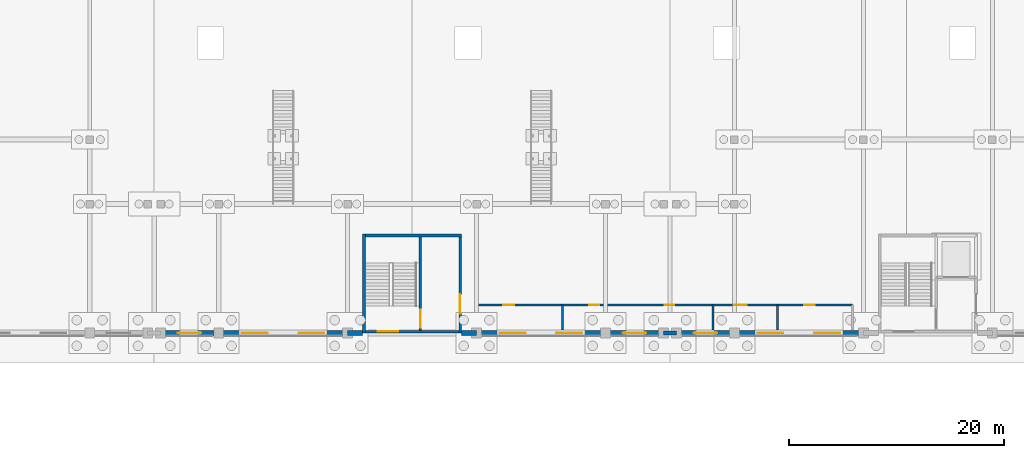
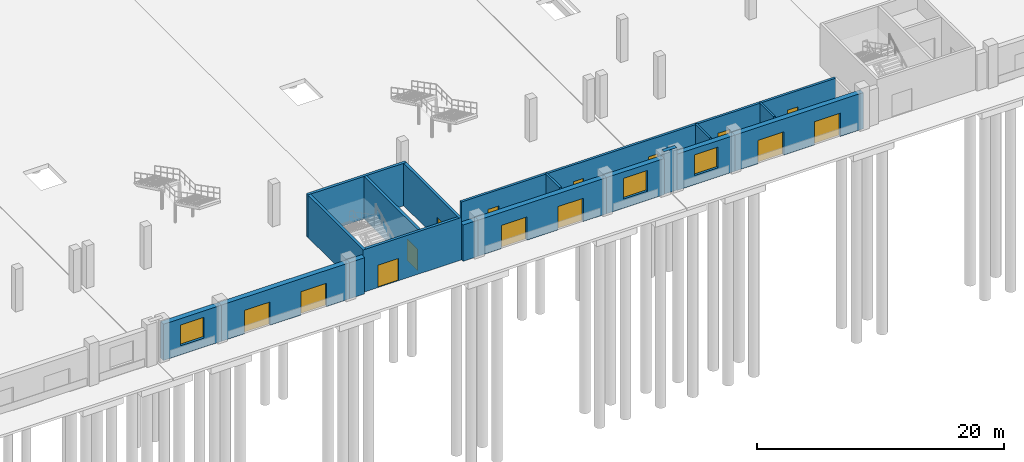
# One storey, part 59 of 77: 18 walls, 14 doors, 3 windows, 17 openings.
"""IFC4 building model written with IfcOpenShell, lengths in metres."""

from ifc_helpers import new_model, si_unit, direction, frame, frame_2d, origin, place, context, subcontext, project, spatial, rectangle, extrude, material, layer, layer_set, type_object, element, fill, save


model = new_model("IFC4")

# Units and contexts
model_context = context("Model", 3, precision=1e-05, world=origin(), true_north=direction((0.0, 1.0)))
body_context = subcontext(model_context, "Body", "Model", "MODEL_VIEW")
ifc_project = project(units=[si_unit("LENGTHUNIT", "METRE"), si_unit("AREAUNIT", "SQUARE_METRE"), si_unit("VOLUMEUNIT", "CUBIC_METRE"), si_unit("PLANEANGLEUNIT", "RADIAN"), si_unit("MASSUNIT", "GRAM", prefix="KILO")], contexts=[model_context])

# Site, building, storey
site_placement = place(None, origin())
site = spatial("IfcSite", under=ifc_project, at=site_placement, CompositionType="ELEMENT")
building_placement = place(site_placement, origin())
building = spatial("IfcBuilding", under=site, at=building_placement, Name="Zilviju Railside Exhibition Hall", CompositionType="ELEMENT")
storey_placement = place(building_placement, origin())
storey = spatial("IfcBuildingStorey", under=building, at=storey_placement, Name="L01", CompositionType="ELEMENT", Elevation=0.0)

# Walls
ifc_material_1 = material(Name="Concrete C35/45", Category="concrete")
ifc_layer_1 = layer(ifc_material_1, 0.25)
ifc_layer_set_1 = layer_set([ifc_layer_1], Name="Concrete C35/45")
wall_type_1 = type_object("IfcWallType", Name="WL-CORE-250", PredefinedType="SHEAR", material=ifc_layer_set_1)
wall_1_placement = place(storey_placement, frame((145.52490234375, 0.0, 0.0), z_axis=(0.0, 0.0, 1.0), x_axis=(0.0, 1.0, 0.0)))
element("IfcWall", 1, at=wall_1_placement, inside=storey, type_object=wall_type_1, Name="Core C02 South Hall Mid Stairwell Outer Wall L01", PredefinedType="SHEAR", context=body_context, shape_type="SweptSolid", body=[
    extrude(rectangle(XDim=9.199951171875, YDim=0.25, at=frame_2d((4.60009765625, 0.0))), origin(), (0.0, 0.0, 1.0), 4.199951171875),
])
wall_2_placement = place(storey_placement, frame((145.39990234375, 9.074951171875, 0.0), z_axis=(0.0, 0.0, 1.0), x_axis=(1.0, 0.0, 0.0)))
element("IfcWall", 2, at=wall_2_placement, inside=storey, type_object=wall_type_1, Name="Core C02 South Hall Mid Core Rear Wall L01", PredefinedType="SHEAR", context=body_context, shape_type="SweptSolid", body=[
    extrude(rectangle(XDim=9.2001953125, YDim=0.25, at=frame_2d((4.60009765625, 0.0))), origin(), (0.0, 0.0, 1.0), 4.199951171875),
])

# Wall, opening, door
wall_3_placement = place(storey_placement, frame((154.47509765625, 0.0, 0.0), z_axis=(0.0, 0.0, 1.0), x_axis=(0.0, 1.0, 0.0)))
wall_3 = element("IfcWall", 3, at=wall_3_placement, inside=storey, type_object=wall_type_1, Name="Core C02 South Hall Mid Lobby Side Wall L01", PredefinedType="SHEAR", context=body_context, shape_type="SweptSolid", body=[
    extrude(rectangle(XDim=9.199951171875, YDim=0.25, at=frame_2d((4.60009765625, 0.0))), origin(), (0.0, 0.0, 1.0), 4.199951171875),
])
opening_1_placement = place(wall_3_placement, frame((1.800048828125, 0.0, 0.0)))
opening_1 = element("IfcOpeningElement", 4, at=opening_1_placement, cuts=wall_3, Name="Opening FD-02", PredefinedType="OPENING", context=body_context, shape_type="SweptSolid", body=[
    extrude(rectangle(XDim=1.800048828125, YDim=2.14990234375, at=frame_2d((0.89990234375, 1.074951171875))), frame((0.0, 0.135009765625, 0.0), z_axis=(0.0, -1.0, 0.0), x_axis=(1.0, 0.0, 0.0)), (0.0, 0.0, 1.0), 0.27001953125),
])
ifc_material_2 = material(Name="Self-closing glazed steel core lobby fire door EI 60", Category="steel")
door_type_1 = type_object("IfcDoorType", Name="DR-LOBBY-180x215", OperationType="NOTDEFINED", PredefinedType="DOOR", material=ifc_material_2)
door_1_placement = place(opening_1_placement, origin())
door_1 = element("IfcDoor", 5, at=door_1_placement, inside=storey, type_object=door_type_1, Name="Core C02 South Hall Mid Lobby Fire Door L01", OperationType="DOUBLE_DOOR_SINGLE_SWING", OverallHeight=2.14990234375, OverallWidth=1.800048828125, PredefinedType="DOOR", context=body_context, shape_type="SweptSolid", body=[
    extrude(rectangle(XDim=1.800048828125, YDim=2.14990234375, at=frame_2d((0.89990234375, 1.074951171875))), frame((0.0, 0.02490234375, 0.0), z_axis=(0.0, -1.0, 0.0), x_axis=(1.0, 0.0, 0.0)), (0.0, 0.0, 1.0), 0.050048828125),
])
fill(opening_1, door_1)

wall_4_placement = place(storey_placement, frame((150.77490234375, 0.25, 0.0), z_axis=(0.0, 0.0, 1.0), x_axis=(0.0, 1.0, 0.0)))
wall_4 = element("IfcWall", 6, at=wall_4_placement, inside=storey, type_object=wall_type_1, Name="Core C02 South Hall Mid Stairwell Partition Wall L01", PredefinedType="SHEAR", context=body_context, shape_type="SweptSolid", body=[
    extrude(rectangle(XDim=8.699951171875, YDim=0.25, at=frame_2d((4.35009765625, 0.0))), origin(), (0.0, 0.0, 1.0), 4.199951171875),
])
opening_2_placement = place(wall_4_placement, frame((0.25, 0.0, 0.0)))
opening_2 = element("IfcOpeningElement", 7, at=opening_2_placement, cuts=wall_4, Name="Opening FD-01", PredefinedType="OPENING", context=body_context, shape_type="SweptSolid", body=[
    extrude(rectangle(XDim=1.64990234375, YDim=2.10009765625, at=frame_2d((0.824951171875, 1.050048828125))), frame((0.0, 0.135009765625, 0.0), z_axis=(0.0, -1.0, 0.0), x_axis=(1.0, 0.0, 0.0)), (0.0, 0.0, 1.0), 0.27001953125),
])
ifc_material_3 = material(Name="Self-closing steel stair enclosure fire door EI 60", Category="steel")
door_type_2 = type_object("IfcDoorType", Name="DR-STAIR-165x210", OperationType="NOTDEFINED", PredefinedType="DOOR", material=ifc_material_3)
door_2_placement = place(opening_2_placement, origin())
door_2 = element("IfcDoor", 8, at=door_2_placement, inside=storey, type_object=door_type_2, Name="Core C02 South Hall Mid Protected Stair Door L01", OperationType="SINGLE_SWING_RIGHT", OverallHeight=2.10009765625, OverallWidth=1.64990234375, PredefinedType="DOOR", context=body_context, shape_type="SweptSolid", body=[
    extrude(rectangle(XDim=1.64990234375, YDim=2.10009765625, at=frame_2d((0.824951171875, 1.050048828125))), frame((0.0, 0.02490234375, 0.0), z_axis=(0.0, -1.0, 0.0), x_axis=(1.0, 0.0, 0.0)), (0.0, 0.0, 1.0), 0.050048828125),
])
fill(opening_2, door_2)

ifc_material_4 = material(Name="Concrete C40/50", Category="concrete")
ifc_layer_2 = layer(ifc_material_4, 0.25)
ifc_layer_set_2 = layer_set([ifc_layer_2], Name="Concrete C40/50")
wall_type_2 = type_object("IfcWallType", Name="WL-CORE-300", PredefinedType="SHEAR", material=ifc_layer_set_2)
wall_5_placement = place(storey_placement, frame((154.60009765625, 0.125, 0.0), z_axis=(0.0, 0.0, 1.0), x_axis=(-1.0, 0.0, 0.0)))
wall_5 = element("IfcWall", 9, at=wall_5_placement, inside=storey, type_object=wall_type_2, Name="Core C02 South Hall Mid Exterior Core Wall L01", PredefinedType="SHEAR", context=body_context, shape_type="SweptSolid", body=[
    extrude(rectangle(XDim=9.2001953125, YDim=0.25, at=frame_2d((4.60009765625, 0.0))), origin(), (0.0, 0.0, 1.0), 4.199951171875),
])
opening_3_placement = place(wall_5_placement, frame((5.89990234375, 0.0, 0.0)))
opening_3 = element("IfcOpeningElement", 10, at=opening_3_placement, cuts=wall_5, Name="Opening ED-02", PredefinedType="OPENING", context=body_context, shape_type="SweptSolid", body=[
    extrude(rectangle(XDim=1.89990234375, YDim=2.199951171875, at=frame_2d((0.949951171875, 1.10009765625))), frame((0.0, 0.135009765625, 0.0), z_axis=(0.0, -1.0, 0.0), x_axis=(1.0, 0.0, 0.0)), (0.0, 0.0, 1.0), 0.27001953125),
])
ifc_material_5 = material(Name="Insulated aluminium stair discharge door", Category="aluminium")
door_type_3 = type_object("IfcDoorType", Name="DR-EXT-EXIT-190x220", OperationType="NOTDEFINED", PredefinedType="DOOR", material=ifc_material_5)
door_3_placement = place(opening_3_placement, origin())
door_3 = element("IfcDoor", 11, at=door_3_placement, inside=storey, type_object=door_type_3, Name="Core C02 South Hall Mid Exit Stair Discharge Door ED-C02", OperationType="DOUBLE_DOOR_SINGLE_SWING", OverallHeight=2.199951171875, OverallWidth=1.89990234375, PredefinedType="DOOR", context=body_context, shape_type="SweptSolid", body=[
    extrude(rectangle(XDim=1.89990234375, YDim=2.199951171875, at=frame_2d((0.949951171875, 1.10009765625))), frame((0.0, 0.02490234375, 0.0), z_axis=(0.0, -1.0, 0.0), x_axis=(1.0, 0.0, 0.0)), (0.0, 0.0, 1.0), 0.050048828125),
])
fill(opening_3, door_3)

# Wall
ifc_material_6 = material(Name="Insulated courtyard masonry wall", Category="masonry")
ifc_layer_3 = layer(ifc_material_6, 0.360107421875)
ifc_layer_set_3 = layer_set([ifc_layer_3], Name="Insulated courtyard masonry wall")
wall_type_3 = type_object("IfcWallType", Name="WL-EXT-360", PredefinedType="SOLIDWALL", material=ifc_layer_set_3)
wall_6_placement = place(storey_placement, frame((174.60009765625, 0.0, 0.0), z_axis=(0.0, 0.0, 1.0), x_axis=(-1.0, 0.0, 0.0)))
element("IfcWall", 12, at=wall_6_placement, inside=storey, type_object=wall_type_3, Name="Exterior Facade Wall L01 South 0595", PredefinedType="SOLIDWALL", context=body_context, shape_type="SweptSolid", body=[
    extrude(rectangle(XDim=1.2001953125, YDim=0.360107421875, at=frame_2d((0.60009765625, 0.0))), origin(), (0.0, 0.0, 1.0), 4.199951171875),
])

# Wall, opening, window
ifc_material_7 = material(Name="Insulated Baltic granite plinth masonry wall", Category="masonry")
ifc_layer_4 = layer(ifc_material_7, 0.47998046875)
ifc_layer_set_4 = layer_set([ifc_layer_4], Name="Insulated Baltic granite plinth masonry wall")
wall_type_4 = type_object("IfcWallType", Name="WL-EXT-480", PredefinedType="SOLIDWALL", material=ifc_layer_set_4)
wall_7_placement = place(storey_placement, frame((132.0, 0.0, 0.0), z_axis=(0.0, 0.0, 1.0), x_axis=(-1.0, 0.0, 0.0)))
wall_7 = element("IfcWall", 13, at=wall_7_placement, inside=storey, type_object=wall_type_4, Name="Exterior Facade Wall L01 South 0007", PredefinedType="SOLIDWALL", context=body_context, shape_type="SweptSolid", body=[
    extrude(rectangle(XDim=5.39990234375, YDim=0.47998046875, at=frame_2d((2.699951171875, 0.0))), origin(), (0.0, 0.0, 1.0), 3.580078125),
])
opening_4_placement = place(wall_7_placement, frame((1.60009765625, 0.0, 0.89990234375)))
opening_4 = element("IfcOpeningElement", 14, at=opening_4_placement, cuts=wall_7, Name="Opening WN-05", PredefinedType="OPENING", context=body_context, shape_type="SweptSolid", body=[
    extrude(rectangle(XDim=2.199951171875, YDim=2.050048828125, at=frame_2d((1.10009765625, 1.02490234375))), frame((0.0, 0.25, 0.0), z_axis=(0.0, -1.0, 0.0), x_axis=(1.0, 0.0, 0.0)), (0.0, 0.0, 1.0), 0.5),
])
ifc_material_8 = material(Name="Triple-glazed timber-aluminium window unit", Category="wood")
window_type = type_object("IfcWindowType", Name="WIN-JUG-220x205", PartitioningType="TRIPLE_PANEL_VERTICAL", PredefinedType="WINDOW", material=ifc_material_8)
window_1_placement = place(opening_4_placement, origin())
window_1 = element("IfcWindow", 15, at=window_1_placement, inside=storey, type_object=window_type, Name="Facade Window L01 WN-0003", OverallHeight=2.050048828125, OverallWidth=2.199951171875, PartitioningType="SINGLE_PANEL", PredefinedType="WINDOW", context=body_context, shape_type="SweptSolid", body=[
    extrude(rectangle(XDim=2.199951171875, YDim=2.050048828125, at=frame_2d((1.10009765625, 1.02490234375))), frame((0.0, 0.030029296875, 0.0), z_axis=(0.0, -1.0, 0.0), x_axis=(1.0, 0.0, 0.0)), (0.0, 0.0, 1.0), 0.06005859375),
])
fill(opening_4, window_1)

# Wall, openings, doors
wall_8_placement = place(storey_placement, frame((144.0, 0.0, 0.0), z_axis=(0.0, 0.0, 1.0), x_axis=(-1.0, 0.0, 0.0)))
wall_8 = element("IfcWall", 16, at=wall_8_placement, inside=storey, type_object=wall_type_4, Name="Exterior Facade Wall L01 South 0008", PredefinedType="SOLIDWALL", context=body_context, shape_type="SweptSolid", body=[
    extrude(rectangle(XDim=12.0, YDim=0.47998046875, at=frame_2d((6.0, 0.0))), origin(), (0.0, 0.0, 1.0), 3.580078125),
])
opening_5_placement = place(wall_8_placement, frame((2.159912109375, 0.0, 0.0)))
opening_5 = element("IfcOpeningElement", 17, at=opening_5_placement, cuts=wall_8, Name="Opening ED-05", PredefinedType="OPENING", context=body_context, shape_type="SweptSolid", body=[
    extrude(rectangle(XDim=2.39990234375, YDim=2.300048828125, at=frame_2d((1.199951171875, 1.14990234375))), frame((0.0, 0.25, 0.0), z_axis=(0.0, -1.0, 0.0), x_axis=(1.0, 0.0, 0.0)), (0.0, 0.0, 1.0), 0.5),
])
opening_6_placement = place(wall_8_placement, frame((7.43994140625, 0.0, 0.0)))
opening_6 = element("IfcOpeningElement", 18, at=opening_6_placement, cuts=wall_8, Name="Opening ED-05", PredefinedType="OPENING", context=body_context, shape_type="SweptSolid", body=[
    extrude(rectangle(XDim=2.39990234375, YDim=2.300048828125, at=frame_2d((1.199951171875, 1.14990234375))), frame((0.0, 0.25, 0.0), z_axis=(0.0, -1.0, 0.0), x_axis=(1.0, 0.0, 0.0)), (0.0, 0.0, 1.0), 0.5),
])
ifc_material_9 = material(Name="Insulated bronze-clad exhibition hall double exit door", Category="steel")
door_type_4 = type_object("IfcDoorType", Name="DR-EXT-EXIT-240x230", OperationType="NOTDEFINED", PredefinedType="DOOR", material=ifc_material_9)
door_4_placement = place(opening_5_placement, origin())
door_4 = element("IfcDoor", 19, at=door_4_placement, inside=storey, type_object=door_type_4, Name="Pedestrian Final Exit Door ED-005", OperationType="DOUBLE_DOOR_SINGLE_SWING", OverallHeight=2.300048828125, OverallWidth=2.39990234375, PredefinedType="DOOR", context=body_context, shape_type="SweptSolid", body=[
    extrude(rectangle(XDim=2.39990234375, YDim=2.300048828125, at=frame_2d((1.199951171875, 1.14990234375))), frame((0.0, 0.02490234375, 0.0), z_axis=(0.0, -1.0, 0.0), x_axis=(1.0, 0.0, 0.0)), (0.0, 0.0, 1.0), 0.050048828125),
])
fill(opening_5, door_4)
door_5_placement = place(opening_6_placement, origin())
door_5 = element("IfcDoor", 20, at=door_5_placement, inside=storey, type_object=door_type_4, Name="Pedestrian Final Exit Door ED-006", OperationType="DOUBLE_DOOR_SINGLE_SWING", OverallHeight=2.300048828125, OverallWidth=2.39990234375, PredefinedType="DOOR", context=body_context, shape_type="SweptSolid", body=[
    extrude(rectangle(XDim=2.39990234375, YDim=2.300048828125, at=frame_2d((1.199951171875, 1.14990234375))), frame((0.0, 0.02490234375, 0.0), z_axis=(0.0, -1.0, 0.0), x_axis=(1.0, 0.0, 0.0)), (0.0, 0.0, 1.0), 0.050048828125),
])
fill(opening_6, door_5)

# Walls
for number, where, z_axis, x_axis, name in (
    (21, (145.39990234375, 0.0, 0.0), (0.0, 0.0, 1.0), (-1.0, 0.0, 0.0), "Exterior Facade Wall L01 South 0009"),
    (22, (156.0, 0.0, 0.0), (0.0, 0.0, 1.0), (-1.0, 0.0, 0.0), "Exterior Facade Wall L01 South 0010"),
):
    element("IfcWall", number, at=place(storey_placement, frame(where, z_axis=z_axis, x_axis=x_axis)), inside=storey, type_object=wall_type_4, Name=name, PredefinedType="SOLIDWALL", context=body_context, shape_type="SweptSolid", body=[
        extrude(rectangle(XDim=1.39990234375, YDim=0.47998046875, at=frame_2d((0.699951171875, 0.0))), origin(), (0.0, 0.0, 1.0), 3.580078125),
    ])

# Wall, openings, doors
wall_9_placement = place(storey_placement, frame((168.0, 0.0, 0.0), z_axis=(0.0, 0.0, 1.0), x_axis=(-1.0, 0.0, 0.0)))
wall_9 = element("IfcWall", 23, at=wall_9_placement, inside=storey, type_object=wall_type_4, Name="Exterior Facade Wall L01 South 0011", PredefinedType="SOLIDWALL", context=body_context, shape_type="SweptSolid", body=[
    extrude(rectangle(XDim=12.0, YDim=0.47998046875, at=frame_2d((6.0, 0.0))), origin(), (0.0, 0.0, 1.0), 3.580078125),
])
opening_7_placement = place(wall_9_placement, frame((2.159912109375, 0.0, 0.0)))
opening_7 = element("IfcOpeningElement", 24, at=opening_7_placement, cuts=wall_9, Name="Opening ED-05", PredefinedType="OPENING", context=body_context, shape_type="SweptSolid", body=[
    extrude(rectangle(XDim=2.39990234375, YDim=2.300048828125, at=frame_2d((1.199951171875, 1.14990234375))), frame((0.0, 0.25, 0.0), z_axis=(0.0, -1.0, 0.0), x_axis=(1.0, 0.0, 0.0)), (0.0, 0.0, 1.0), 0.5),
])
opening_8_placement = place(wall_9_placement, frame((7.43994140625, 0.0, 0.0)))
opening_8 = element("IfcOpeningElement", 25, at=opening_8_placement, cuts=wall_9, Name="Opening ED-05", PredefinedType="OPENING", context=body_context, shape_type="SweptSolid", body=[
    extrude(rectangle(XDim=2.39990234375, YDim=2.300048828125, at=frame_2d((1.199951171875, 1.14990234375))), frame((0.0, 0.25, 0.0), z_axis=(0.0, -1.0, 0.0), x_axis=(1.0, 0.0, 0.0)), (0.0, 0.0, 1.0), 0.5),
])
door_6_placement = place(opening_7_placement, origin())
door_6 = element("IfcDoor", 26, at=door_6_placement, inside=storey, type_object=door_type_4, Name="Pedestrian Final Exit Door ED-007", OperationType="DOUBLE_DOOR_SINGLE_SWING", OverallHeight=2.300048828125, OverallWidth=2.39990234375, PredefinedType="DOOR", context=body_context, shape_type="SweptSolid", body=[
    extrude(rectangle(XDim=2.39990234375, YDim=2.300048828125, at=frame_2d((1.199951171875, 1.14990234375))), frame((0.0, 0.02490234375, 0.0), z_axis=(0.0, -1.0, 0.0), x_axis=(1.0, 0.0, 0.0)), (0.0, 0.0, 1.0), 0.050048828125),
])
fill(opening_7, door_6)
door_7_placement = place(opening_8_placement, origin())
door_7 = element("IfcDoor", 27, at=door_7_placement, inside=storey, type_object=door_type_4, Name="Pedestrian Final Exit Door ED-008", OperationType="DOUBLE_DOOR_SINGLE_SWING", OverallHeight=2.300048828125, OverallWidth=2.39990234375, PredefinedType="DOOR", context=body_context, shape_type="SweptSolid", body=[
    extrude(rectangle(XDim=2.39990234375, YDim=2.300048828125, at=frame_2d((1.199951171875, 1.14990234375))), frame((0.0, 0.02490234375, 0.0), z_axis=(0.0, -1.0, 0.0), x_axis=(1.0, 0.0, 0.0)), (0.0, 0.0, 1.0), 0.050048828125),
])
fill(opening_8, door_7)

# Wall, opening, window
wall_10_placement = place(storey_placement, frame((173.39990234375, 0.0, 0.0), z_axis=(0.0, 0.0, 1.0), x_axis=(-1.0, 0.0, 0.0)))
wall_10 = element("IfcWall", 28, at=wall_10_placement, inside=storey, type_object=wall_type_4, Name="Exterior Facade Wall L01 South 0012", PredefinedType="SOLIDWALL", context=body_context, shape_type="SweptSolid", body=[
    extrude(rectangle(XDim=5.39990234375, YDim=0.47998046875, at=frame_2d((2.699951171875, 0.0))), origin(), (0.0, 0.0, 1.0), 3.580078125),
])
opening_9_placement = place(wall_10_placement, frame((1.60009765625, 0.0, 0.89990234375)))
opening_9 = element("IfcOpeningElement", 29, at=opening_9_placement, cuts=wall_10, Name="Opening WN-05", PredefinedType="OPENING", context=body_context, shape_type="SweptSolid", body=[
    extrude(rectangle(XDim=2.199951171875, YDim=2.050048828125, at=frame_2d((1.10009765625, 1.02490234375))), frame((0.0, 0.25, 0.0), z_axis=(0.0, -1.0, 0.0), x_axis=(1.0, 0.0, 0.0)), (0.0, 0.0, 1.0), 0.5),
])
window_2_placement = place(opening_9_placement, origin())
window_2 = element("IfcWindow", 30, at=window_2_placement, inside=storey, type_object=window_type, Name="Facade Window L01 WN-0004", OverallHeight=2.050048828125, OverallWidth=2.199951171875, PartitioningType="SINGLE_PANEL", PredefinedType="WINDOW", context=body_context, shape_type="SweptSolid", body=[
    extrude(rectangle(XDim=2.199951171875, YDim=2.050048828125, at=frame_2d((1.10009765625, 1.02490234375))), frame((0.0, 0.030029296875, 0.0), z_axis=(0.0, -1.0, 0.0), x_axis=(1.0, 0.0, 0.0)), (0.0, 0.0, 1.0), 0.06005859375),
])
fill(opening_9, window_2)

wall_11_placement = place(storey_placement, frame((180.0, 0.0, 0.0), z_axis=(0.0, 0.0, 1.0), x_axis=(-1.0, 0.0, 0.0)))
wall_11 = element("IfcWall", 31, at=wall_11_placement, inside=storey, type_object=wall_type_4, Name="Exterior Facade Wall L01 South 0013", PredefinedType="SOLIDWALL", context=body_context, shape_type="SweptSolid", body=[
    extrude(rectangle(XDim=5.39990234375, YDim=0.47998046875, at=frame_2d((2.699951171875, 0.0))), origin(), (0.0, 0.0, 1.0), 3.580078125),
])
opening_10_placement = place(wall_11_placement, frame((1.60009765625, 0.0, 0.89990234375)))
opening_10 = element("IfcOpeningElement", 32, at=opening_10_placement, cuts=wall_11, Name="Opening WN-05", PredefinedType="OPENING", context=body_context, shape_type="SweptSolid", body=[
    extrude(rectangle(XDim=2.199951171875, YDim=2.050048828125, at=frame_2d((1.10009765625, 1.02490234375))), frame((0.0, 0.25, 0.0), z_axis=(0.0, -1.0, 0.0), x_axis=(1.0, 0.0, 0.0)), (0.0, 0.0, 1.0), 0.5),
])
window_3_placement = place(opening_10_placement, origin())
window_3 = element("IfcWindow", 33, at=window_3_placement, inside=storey, type_object=window_type, Name="Facade Window L01 WN-0005", OverallHeight=2.050048828125, OverallWidth=2.199951171875, PartitioningType="SINGLE_PANEL", PredefinedType="WINDOW", context=body_context, shape_type="SweptSolid", body=[
    extrude(rectangle(XDim=2.199951171875, YDim=2.050048828125, at=frame_2d((1.10009765625, 1.02490234375))), frame((0.0, 0.030029296875, 0.0), z_axis=(0.0, -1.0, 0.0), x_axis=(1.0, 0.0, 0.0)), (0.0, 0.0, 1.0), 0.06005859375),
])
fill(opening_10, window_3)

# Wall, openings, doors
wall_12_placement = place(storey_placement, frame((192.0, 0.0, 0.0), z_axis=(0.0, 0.0, 1.0), x_axis=(-1.0, 0.0, 0.0)))
wall_12 = element("IfcWall", 34, at=wall_12_placement, inside=storey, type_object=wall_type_4, Name="Exterior Facade Wall L01 South 0014", PredefinedType="SOLIDWALL", context=body_context, shape_type="SweptSolid", body=[
    extrude(rectangle(XDim=12.0, YDim=0.47998046875, at=frame_2d((6.0, 0.0))), origin(), (0.0, 0.0, 1.0), 3.580078125),
])
opening_11_placement = place(wall_12_placement, frame((2.159912109375, 0.0, 0.0)))
opening_11 = element("IfcOpeningElement", 35, at=opening_11_placement, cuts=wall_12, Name="Opening ED-05", PredefinedType="OPENING", context=body_context, shape_type="SweptSolid", body=[
    extrude(rectangle(XDim=2.39990234375, YDim=2.300048828125, at=frame_2d((1.199951171875, 1.14990234375))), frame((0.0, 0.25, 0.0), z_axis=(0.0, -1.0, 0.0), x_axis=(1.0, 0.0, 0.0)), (0.0, 0.0, 1.0), 0.5),
])
opening_12_placement = place(wall_12_placement, frame((7.43994140625, 0.0, 0.0)))
opening_12 = element("IfcOpeningElement", 36, at=opening_12_placement, cuts=wall_12, Name="Opening ED-05", PredefinedType="OPENING", context=body_context, shape_type="SweptSolid", body=[
    extrude(rectangle(XDim=2.39990234375, YDim=2.300048828125, at=frame_2d((1.199951171875, 1.14990234375))), frame((0.0, 0.25, 0.0), z_axis=(0.0, -1.0, 0.0), x_axis=(1.0, 0.0, 0.0)), (0.0, 0.0, 1.0), 0.5),
])
door_8_placement = place(opening_11_placement, origin())
door_8 = element("IfcDoor", 37, at=door_8_placement, inside=storey, type_object=door_type_4, Name="Pedestrian Final Exit Door ED-009", OperationType="DOUBLE_DOOR_SINGLE_SWING", OverallHeight=2.300048828125, OverallWidth=2.39990234375, PredefinedType="DOOR", context=body_context, shape_type="SweptSolid", body=[
    extrude(rectangle(XDim=2.39990234375, YDim=2.300048828125, at=frame_2d((1.199951171875, 1.14990234375))), frame((0.0, 0.02490234375, 0.0), z_axis=(0.0, -1.0, 0.0), x_axis=(1.0, 0.0, 0.0)), (0.0, 0.0, 1.0), 0.050048828125),
])
fill(opening_11, door_8)
door_9_placement = place(opening_12_placement, origin())
door_9 = element("IfcDoor", 38, at=door_9_placement, inside=storey, type_object=door_type_4, Name="Pedestrian Final Exit Door ED-010", OperationType="DOUBLE_DOOR_SINGLE_SWING", OverallHeight=2.300048828125, OverallWidth=2.39990234375, PredefinedType="DOOR", context=body_context, shape_type="SweptSolid", body=[
    extrude(rectangle(XDim=2.39990234375, YDim=2.300048828125, at=frame_2d((1.199951171875, 1.14990234375))), frame((0.0, 0.02490234375, 0.0), z_axis=(0.0, -1.0, 0.0), x_axis=(1.0, 0.0, 0.0)), (0.0, 0.0, 1.0), 0.050048828125),
])
fill(opening_12, door_9)

# Walls
ifc_material_10 = material(Name="Accessible WC sanitary chase wall", Category="masonry")
ifc_layer_5 = layer(ifc_material_10, 0.18994140625)
ifc_layer_set_5 = layer_set([ifc_layer_5], Name="Accessible WC sanitary chase wall")
wall_type_5 = type_object("IfcWallType", Name="WL-PLMB-190", PredefinedType="PLUMBINGWALL", material=ifc_layer_set_5)
for number, where, z_axis, x_axis, name in (
    (39, (164.0, 0.300048828125, 0.0), (0.0, 0.0, 1.0), (0.0, 1.0, 0.0), "Sanitary Cross Partition"),
    (40, (178.0, 0.300048828125, 0.0), (0.0, 0.0, 1.0), (0.0, 1.0, 0.0), "Sanitary Cross Partition"),
    (41, (184.0, 0.300048828125, 0.0), (0.0, 0.0, 1.0), (0.0, 1.0, 0.0), "Sanitary Cross Partition"),
):
    element("IfcWall", number, at=place(storey_placement, frame(where, z_axis=z_axis, x_axis=x_axis)), inside=storey, type_object=wall_type_5, Name=name, PredefinedType="PLUMBINGWALL", context=body_context, shape_type="SweptSolid", body=[
        extrude(rectangle(XDim=2.300048828125, YDim=0.18994140625, at=frame_2d((1.14990234375, 0.0))), origin(), (0.0, 0.0, 1.0), 3.699951171875),
    ])

# Wall, openings, doors
ifc_material_11 = material(Name="Sanitary plumbing chase wall", Category="masonry")
ifc_layer_6 = layer(ifc_material_11, 0.219970703125)
ifc_layer_set_6 = layer_set([ifc_layer_6], Name="Sanitary plumbing chase wall")
wall_type_6 = type_object("IfcWallType", Name="WL-PLMB-220", PredefinedType="PLUMBINGWALL", material=ifc_layer_set_6)
wall_13_placement = place(storey_placement, frame((156.0, 2.60009765625, 0.0), z_axis=(0.0, 0.0, 1.0), x_axis=(1.0, 0.0, 0.0)))
wall_13 = element("IfcWall", 42, at=wall_13_placement, inside=storey, type_object=wall_type_6, Name="South Hall Sanitary Strip Wall", PredefinedType="PLUMBINGWALL", context=body_context, shape_type="SweptSolid", body=[
    extrude(rectangle(XDim=35.0, YDim=0.219970703125, at=frame_2d((17.5, 0.0))), origin(), (0.0, 0.0, 1.0), 3.699951171875),
])
opening_13_placement = place(wall_13_placement, frame((2.5, 0.0, 0.0)))
opening_13 = element("IfcOpeningElement", 43, at=opening_13_placement, cuts=wall_13, Name="Opening WD-01", PredefinedType="OPENING", context=body_context, shape_type="SweptSolid", body=[
    extrude(rectangle(XDim=1.0, YDim=2.10009765625, at=frame_2d((0.5, 1.050048828125))), frame((0.0, 0.119873046875, 0.0), z_axis=(0.0, -1.0, 0.0), x_axis=(1.0, 0.0, 0.0)), (0.0, 0.0, 1.0), 0.239990234375),
])
opening_14_placement = place(wall_13_placement, frame((10.5, 0.0, 0.0)))
opening_14 = element("IfcOpeningElement", 44, at=opening_14_placement, cuts=wall_13, Name="Opening WD-02", PredefinedType="OPENING", context=body_context, shape_type="SweptSolid", body=[
    extrude(rectangle(XDim=0.89990234375, YDim=2.050048828125, at=frame_2d((0.449951171875, 1.02490234375))), frame((0.0, 0.119873046875, 0.0), z_axis=(0.0, -1.0, 0.0), x_axis=(1.0, 0.0, 0.0)), (0.0, 0.0, 1.0), 0.239990234375),
])
opening_15_placement = place(wall_13_placement, frame((17.5, 0.0, 0.0)))
opening_15 = element("IfcOpeningElement", 45, at=opening_15_placement, cuts=wall_13, Name="Opening WD-02", PredefinedType="OPENING", context=body_context, shape_type="SweptSolid", body=[
    extrude(rectangle(XDim=0.89990234375, YDim=2.050048828125, at=frame_2d((0.449951171875, 1.02490234375))), frame((0.0, 0.119873046875, 0.0), z_axis=(0.0, -1.0, 0.0), x_axis=(1.0, 0.0, 0.0)), (0.0, 0.0, 1.0), 0.239990234375),
])
opening_16_placement = place(wall_13_placement, frame((24.0, 0.0, 0.0)))
opening_16 = element("IfcOpeningElement", 46, at=opening_16_placement, cuts=wall_13, Name="Opening WD-03", PredefinedType="OPENING", context=body_context, shape_type="SweptSolid", body=[
    extrude(rectangle(XDim=1.1201171875, YDim=2.10009765625, at=frame_2d((0.56005859375, 1.050048828125))), frame((0.0, 0.119873046875, 0.0), z_axis=(0.0, -1.0, 0.0), x_axis=(1.0, 0.0, 0.0)), (0.0, 0.0, 1.0), 0.239990234375),
])
opening_17_placement = place(wall_13_placement, frame((30.5, 0.0, 0.0)))
opening_17 = element("IfcOpeningElement", 47, at=opening_17_placement, cuts=wall_13, Name="Opening ID-03", PredefinedType="OPENING", context=body_context, shape_type="SweptSolid", body=[
    extrude(rectangle(XDim=0.97998046875, YDim=2.10009765625, at=frame_2d((0.489990234375, 1.050048828125))), frame((0.0, 0.119873046875, 0.0), z_axis=(0.0, -1.0, 0.0), x_axis=(1.0, 0.0, 0.0)), (0.0, 0.0, 1.0), 0.239990234375),
])
ifc_material_12 = material(Name="Universal hygiene room accessible door", Category="wood")
door_type_5 = type_object("IfcDoorType", Name="DR-HYG-112x210", OperationType="NOTDEFINED", PredefinedType="DOOR", material=ifc_material_12)
door_10_placement = place(opening_16_placement, origin())
door_10 = element("IfcDoor", 48, at=door_10_placement, inside=storey, type_object=door_type_5, Name="South Hall Universal Hygiene Room Door", OperationType="SINGLE_SWING_RIGHT", OverallHeight=2.10009765625, OverallWidth=1.1201171875, PredefinedType="DOOR", context=body_context, shape_type="SweptSolid", body=[
    extrude(rectangle(XDim=1.1201171875, YDim=2.10009765625, at=frame_2d((0.56005859375, 1.050048828125))), frame((0.0, 0.02490234375, 0.0), z_axis=(0.0, -1.0, 0.0), x_axis=(1.0, 0.0, 0.0)), (0.0, 0.0, 1.0), 0.050048828125),
])
fill(opening_16, door_10)
ifc_material_13 = material(Name="Oak veneer administration single door", Category="wood")
door_type_6 = type_object("IfcDoorType", Name="DR-OFF-098x210", OperationType="NOTDEFINED", PredefinedType="DOOR", material=ifc_material_13)
door_11_placement = place(opening_17_placement, origin())
door_11 = element("IfcDoor", 49, at=door_11_placement, inside=storey, type_object=door_type_6, Name="South Hall Exhibitor Store Door", OperationType="SINGLE_SWING_LEFT", OverallHeight=2.10009765625, OverallWidth=0.97998046875, PredefinedType="DOOR", context=body_context, shape_type="SweptSolid", body=[
    extrude(rectangle(XDim=0.97998046875, YDim=2.10009765625, at=frame_2d((0.489990234375, 1.050048828125))), frame((0.0, 0.02490234375, 0.0), z_axis=(0.0, -1.0, 0.0), x_axis=(1.0, 0.0, 0.0)), (0.0, 0.0, 1.0), 0.050048828125),
])
fill(opening_17, door_11)
ifc_material_14 = material(Name="Accessible WC outward-opening door", Category="wood")
door_type_7 = type_object("IfcDoorType", Name="DR-WC-ACC-100x210", OperationType="NOTDEFINED", PredefinedType="DOOR", material=ifc_material_14)
door_12_placement = place(opening_13_placement, origin())
door_12 = element("IfcDoor", 50, at=door_12_placement, inside=storey, type_object=door_type_7, Name="South Hall Accessible WC Door", OperationType="SINGLE_SWING_LEFT", OverallHeight=2.10009765625, OverallWidth=1.0, PredefinedType="DOOR", context=body_context, shape_type="SweptSolid", body=[
    extrude(rectangle(XDim=1.0, YDim=2.10009765625, at=frame_2d((0.5, 1.050048828125))), frame((0.0, 0.02490234375, 0.0), z_axis=(0.0, -1.0, 0.0), x_axis=(1.0, 0.0, 0.0)), (0.0, 0.0, 1.0), 0.050048828125),
])
fill(opening_13, door_12)
ifc_material_15 = material(Name="Sanitary washroom timber door", Category="wood")
door_type_8 = type_object("IfcDoorType", Name="DR-WC-STD-090x205", OperationType="NOTDEFINED", PredefinedType="DOOR", material=ifc_material_15)
door_13_placement = place(opening_14_placement, origin())
door_13 = element("IfcDoor", 51, at=door_13_placement, inside=storey, type_object=door_type_8, Name="South Hall Toilets West Door", OperationType="SINGLE_SWING_RIGHT", OverallHeight=2.050048828125, OverallWidth=0.89990234375, PredefinedType="DOOR", context=body_context, shape_type="SweptSolid", body=[
    extrude(rectangle(XDim=0.89990234375, YDim=2.050048828125, at=frame_2d((0.449951171875, 1.02490234375))), frame((0.0, 0.02490234375, 0.0), z_axis=(0.0, -1.0, 0.0), x_axis=(1.0, 0.0, 0.0)), (0.0, 0.0, 1.0), 0.050048828125),
])
fill(opening_14, door_13)
door_14_placement = place(opening_15_placement, origin())
door_14 = element("IfcDoor", 52, at=door_14_placement, inside=storey, type_object=door_type_8, Name="South Hall Toilets East Door", OperationType="SINGLE_SWING_LEFT", OverallHeight=2.050048828125, OverallWidth=0.89990234375, PredefinedType="DOOR", context=body_context, shape_type="SweptSolid", body=[
    extrude(rectangle(XDim=0.89990234375, YDim=2.050048828125, at=frame_2d((0.449951171875, 1.02490234375))), frame((0.0, 0.02490234375, 0.0), z_axis=(0.0, -1.0, 0.0), x_axis=(1.0, 0.0, 0.0)), (0.0, 0.0, 1.0), 0.050048828125),
])
fill(opening_15, door_14)

save(model, "model.ifc")
